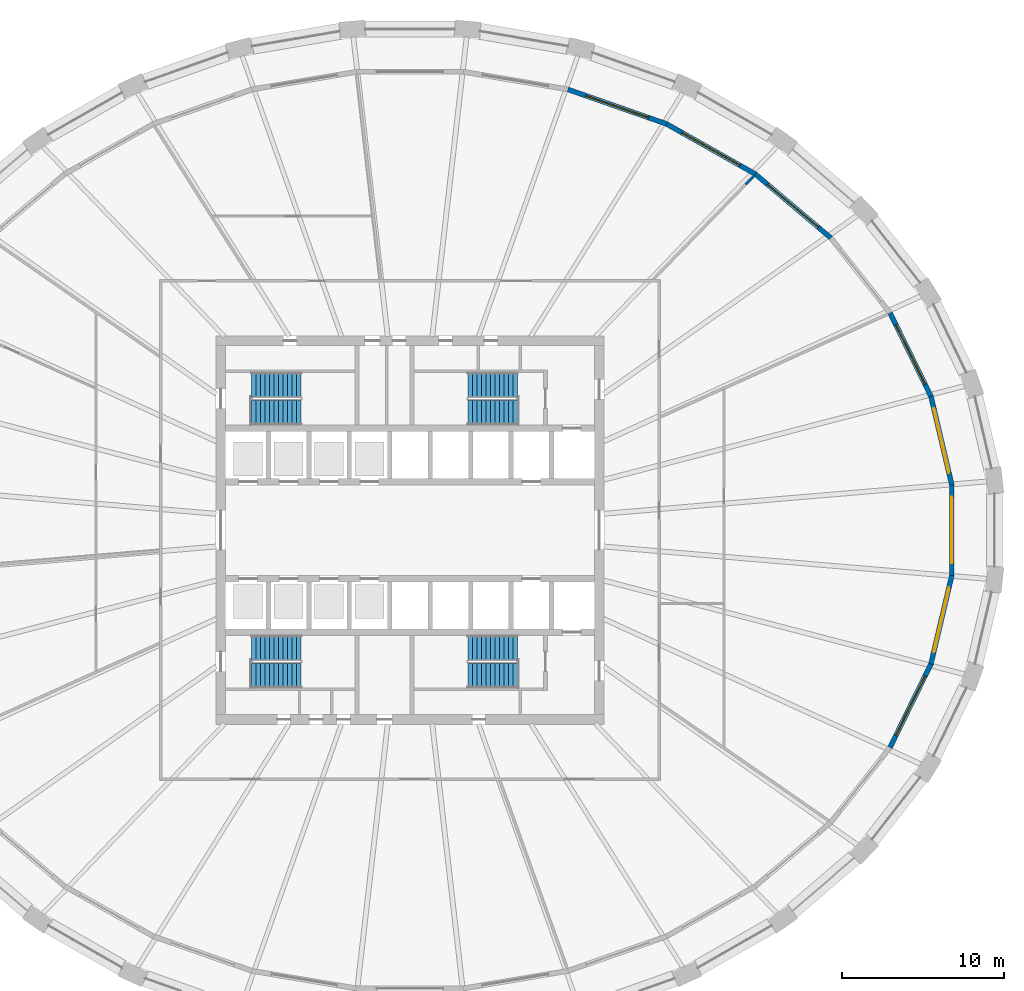
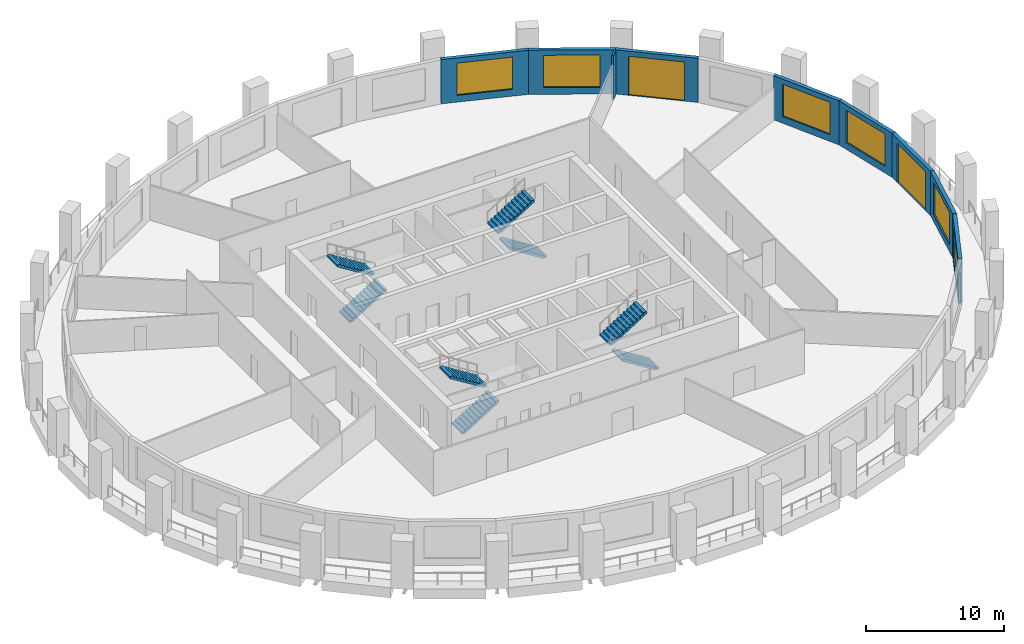
# One storey, part 7 of 10: 9 walls, 8 stair flights, 6 windows, 2 doors, 8 openings, 4 elements without a shape of their own.
"""IFC4 building model written with IfcOpenShell, lengths in metres."""

from ifc_helpers import new_model, si_unit, direction, frame, frame_2d, origin, place, context, subcontext, project, spatial, polyline, rectangle, outline, extrude, material, layer, layer_set, type_object, element, fill, aggregate, save


model = new_model("IFC4")

# Units and contexts
model_context = context("Model", 3, precision=1e-05, world=origin(), true_north=direction((0.0, 1.0)))
body_context = subcontext(model_context, "Body", "Model", "MODEL_VIEW")
ifc_project = project(units=[si_unit("LENGTHUNIT", "METRE"), si_unit("AREAUNIT", "SQUARE_METRE"), si_unit("VOLUMEUNIT", "CUBIC_METRE"), si_unit("PLANEANGLEUNIT", "RADIAN"), si_unit("MASSUNIT", "GRAM", prefix="KILO")], contexts=[model_context])

# Site, building, storey
site_placement = place(None, origin())
site = spatial("IfcSite", under=ifc_project, at=site_placement, CompositionType="ELEMENT")
building_placement = place(site_placement, origin())
building = spatial("IfcBuilding", under=site, at=building_placement, Name="Halqa Exchange Tower", CompositionType="ELEMENT")
storey_placement = place(building_placement, frame((0.0, 0.0, 86.5)))
storey = spatial("IfcBuildingStorey", under=building, at=storey_placement, Name="L19", CompositionType="ELEMENT", Elevation=86.5)

# Wall
ifc_material_1 = material(Name="Fire-rated gypsum board")
ifc_layer_1 = layer(ifc_material_1, 0.14990234375)
ifc_layer_set_1 = layer_set([ifc_layer_1], Name="Fire-rated gypsum board")
wall_type_1 = type_object("IfcWallType", Name="Fire partition EI 60 150", PredefinedType="PARTITIONING", material=ifc_layer_set_1)
wall_1_placement = place(storey_placement, frame((20.738525390625, 21.357666015625, 0.0), z_axis=(0.0, 0.0, 1.0), x_axis=(0.697039010439, 0.717033205595, 0.0)))
element("IfcWall", 1, at=wall_1_placement, inside=storey, type_object=wall_type_1, Name="L19-PWL-024", PredefinedType="PARTITIONING", context=body_context, shape_type="SweptSolid", body=[
    extrude(outline(polyline([(0.0, 0.074951171875), (0.0, -0.074951171875), (0.708251953125, -0.074951171875), (0.708251953125, 0.074951171875), (0.0, 0.074951171875)])), origin(), (0.0, 0.0, 1.0), 3.89990234375),
])

# Wall, opening, window
ifc_material_2 = material(Name="Limestone cladding", Category="masonry")
ifc_layer_2 = layer(ifc_material_2, 0.0400390625)
ifc_material_3 = material(Name="Ventilated cavity")
ifc_layer_3 = layer(ifc_material_3, 0.030029296875, ventilated=True)
ifc_material_4 = material(Name="Mineral wool insulation")
ifc_layer_4 = layer(ifc_material_4, 0.10009765625)
ifc_material_5 = material(Name="Concrete C30/37", Category="concrete")
ifc_layer_5 = layer(ifc_material_5, 0.10009765625)
ifc_material_6 = material(Name="Internal plaster")
ifc_layer_6 = layer(ifc_material_6, 0.030029296875)
ifc_layer_set_2 = layer_set([ifc_layer_2, ifc_layer_3, ifc_layer_4, ifc_layer_5, ifc_layer_6], Name="Stone-faced insulated wall 300")
wall_type_2 = type_object("IfcWallType", Name="Stone-faced insulated wall 300", PredefinedType="STANDARD", material=ifc_layer_set_2)
wall_2_placement = place(storey_placement, frame((33.478271484375, 2.791748046875, 0.0), z_axis=(0.0, 0.0, 1.0), x_axis=(-0.229073200999, 0.973409198941, 0.0)))
wall_2 = element("IfcWall", 2, at=wall_2_placement, inside=storey, type_object=wall_type_2, Name="Glass-line wall 1", PredefinedType="STANDARD", context=body_context, shape_type="SweptSolid", body=[
    extrude(outline(polyline([(-0.017333984375, -0.14990234375), (5.64208984375, -0.14990234375), (5.6083984375, 0.14990234375), (0.017333984375, 0.14990234375), (-0.017333984375, -0.14990234375)])), origin(), (0.0, 0.0, 1.0), 3.89990234375),
])
opening_1_placement = place(wall_2_placement, frame((0.7626953125, 0.0, 0.60009765625)))
opening_1 = element("IfcOpeningElement", 3, at=opening_1_placement, cuts=wall_2, Name="Opening W-F1-01", PredefinedType="OPENING", context=body_context, shape_type="SweptSolid", body=[
    extrude(rectangle(XDim=4.10009765625, YDim=2.85009765625, at=frame_2d((2.050048828125, 1.425048828125))), frame((0.0, 0.162109375, 0.0), z_axis=(0.0, -1.0, 0.0), x_axis=(1.0, 0.0, 0.0)), (0.0, 0.0, 1.0), 0.323974609375),
])
ifc_material_7 = material(Name="Clear low-emissivity glass in aluminium frame", Category="aluminium")
window_type = type_object("IfcWindowType", Name="Fixed clear glazed window 4100 x 2850", PartitioningType="TRIPLE_PANEL_VERTICAL", PredefinedType="WINDOW", material=ifc_material_7)
window_1_placement = place(opening_1_placement, origin())
window_1 = element("IfcWindow", 4, at=window_1_placement, inside=storey, type_object=window_type, Name="Window 1", OverallHeight=2.85009765625, OverallWidth=4.10009765625, PartitioningType="TRIPLE_PANEL_VERTICAL", PredefinedType="WINDOW", context=body_context, shape_type="SweptSolid", body=[
    extrude(rectangle(XDim=4.10009765625, YDim=2.85009765625, at=frame_2d((2.050048828125, 1.425048828125))), frame((0.0, 0.030029296875, 0.0), z_axis=(0.0, -1.0, 0.0), x_axis=(1.0, 0.0, 0.0)), (0.0, 0.0, 1.0), 0.06005859375),
])
fill(opening_1, window_1)

wall_3_placement = place(storey_placement, frame((32.189697265625, 8.267333984375, 0.0), z_axis=(0.0, 0.0, 1.0), x_axis=(-0.44010747541, 0.897945104162, 0.0)))
wall_3 = element("IfcWall", 5, at=wall_3_placement, inside=storey, type_object=wall_type_2, Name="Glass-line wall 2", PredefinedType="STANDARD", context=body_context, shape_type="SweptSolid", body=[
    extrude(outline(polyline([(-0.016845703125, -0.14990234375), (5.758056640625, -0.14990234375), (5.725830078125, 0.14990234375), (0.016845703125, 0.14990234375), (-0.016845703125, -0.14990234375)])), origin(), (0.0, 0.0, 1.0), 3.89990234375),
])
opening_2_placement = place(wall_3_placement, frame((0.821044921875, 0.0, 0.60009765625)))
opening_2 = element("IfcOpeningElement", 6, at=opening_2_placement, cuts=wall_3, Name="Opening W-F1-02", PredefinedType="OPENING", context=body_context, shape_type="SweptSolid", body=[
    extrude(rectangle(XDim=4.10009765625, YDim=2.85009765625, at=frame_2d((2.050048828125, 1.425048828125))), frame((0.0, 0.162109375, 0.0), z_axis=(0.0, -1.0, 0.0), x_axis=(1.0, 0.0, 0.0)), (0.0, 0.0, 1.0), 0.323974609375),
])
window_2_placement = place(opening_2_placement, origin())
window_2 = element("IfcWindow", 7, at=window_2_placement, inside=storey, type_object=window_type, Name="Window 1", OverallHeight=2.85009765625, OverallWidth=4.10009765625, PartitioningType="TRIPLE_PANEL_VERTICAL", PredefinedType="WINDOW", context=body_context, shape_type="SweptSolid", body=[
    extrude(rectangle(XDim=4.10009765625, YDim=2.85009765625, at=frame_2d((2.050048828125, 1.425048828125))), frame((0.0, 0.030029296875, 0.0), z_axis=(0.0, -1.0, 0.0), x_axis=(1.0, 0.0, 0.0)), (0.0, 0.0, 1.0), 0.06005859375),
])
fill(opening_2, window_2)

# Wall, opening, door
wall_4_placement = place(storey_placement, frame((25.99609375, 18.0615234375, 0.0), z_axis=(0.0, 0.0, 1.0), x_axis=(-0.763753100684, 0.645508482667, 0.0)))
wall_4 = element("IfcWall", 8, at=wall_4_placement, inside=storey, type_object=wall_type_2, Name="Glass-line wall 4", PredefinedType="STANDARD", context=body_context, shape_type="SweptSolid", body=[
    extrude(outline(polyline([(-0.01513671875, -0.14990234375), (6.12158203125, -0.14990234375), (6.09326171875, 0.14990234375), (0.01513671875, 0.14990234375), (-0.01513671875, -0.14990234375)])), origin(), (0.0, 0.0, 1.0), 3.89990234375),
])
opening_3_placement = place(wall_4_placement, frame((1.003662109375, 0.0, 0.0)))
opening_3 = element("IfcOpeningElement", 9, at=opening_3_placement, cuts=wall_4, Name="Opening LG-F1-01", PredefinedType="OPENING", context=body_context, shape_type="SweptSolid", body=[
    extrude(rectangle(XDim=4.10009765625, YDim=3.449951171875, at=frame_2d((2.050048828125, 1.72509765625))), frame((0.0, 0.162109375, 0.0), z_axis=(0.0, -1.0, 0.0), x_axis=(1.0, 0.0, 0.0)), (0.0, 0.0, 1.0), 0.323974609375),
])
door_type = type_object("IfcDoorType", Name="Glazed sliding loggia door 4100 x 3450", OperationType="DOUBLE_DOOR_SLIDING", PredefinedType="DOOR", material=ifc_material_7)
door_1_placement = place(opening_3_placement, origin())
door_1 = element("IfcDoor", 10, at=door_1_placement, inside=storey, type_object=door_type, Name="Loggia door 1", OperationType="DOUBLE_DOOR_SLIDING", OverallHeight=3.449951171875, OverallWidth=4.10009765625, PredefinedType="DOOR", context=body_context, shape_type="SweptSolid", body=[
    extrude(rectangle(XDim=4.10009765625, YDim=3.449951171875, at=frame_2d((2.050048828125, 1.72509765625))), frame((0.0, 0.02490234375, 0.0), z_axis=(0.0, -1.0, 0.0), x_axis=(1.0, 0.0, 0.0)), (0.0, 0.0, 1.0), 0.050048828125),
])
fill(opening_3, door_1)

# Wall, opening, window
wall_5_placement = place(storey_placement, frame((21.33154296875, 22.00390625, 0.0), z_axis=(0.0, 0.0, 1.0), x_axis=(-0.870737550302, 0.491748023376, 0.0)))
wall_5 = element("IfcWall", 11, at=wall_5_placement, inside=storey, type_object=wall_type_2, Name="Glass-line wall 5", PredefinedType="STANDARD", context=body_context, shape_type="SweptSolid", body=[
    extrude(outline(polyline([(-0.01416015625, -0.14990234375), (6.309814453125, -0.14990234375), (6.282958984375, 0.14990234375), (0.01416015625, 0.14990234375), (-0.01416015625, -0.14990234375)])), origin(), (0.0, 0.0, 1.0), 3.89990234375),
])
opening_4_placement = place(wall_5_placement, frame((1.09814453125, 0.0, 0.60009765625)))
opening_4 = element("IfcOpeningElement", 12, at=opening_4_placement, cuts=wall_5, Name="Opening W-F1-05", PredefinedType="OPENING", context=body_context, shape_type="SweptSolid", body=[
    extrude(rectangle(XDim=4.10009765625, YDim=2.85009765625, at=frame_2d((2.050048828125, 1.425048828125))), frame((0.0, 0.162109375, 0.0), z_axis=(0.0, -1.0, 0.0), x_axis=(1.0, 0.0, 0.0)), (0.0, 0.0, 1.0), 0.323974609375),
])
window_3_placement = place(opening_4_placement, origin())
window_3 = element("IfcWindow", 13, at=window_3_placement, inside=storey, type_object=window_type, Name="Window 1", OverallHeight=2.85009765625, OverallWidth=4.10009765625, PartitioningType="TRIPLE_PANEL_VERTICAL", PredefinedType="WINDOW", context=body_context, shape_type="SweptSolid", body=[
    extrude(rectangle(XDim=4.10009765625, YDim=2.85009765625, at=frame_2d((2.050048828125, 1.425048828125))), frame((0.0, 0.030029296875, 0.0), z_axis=(0.0, -1.0, 0.0), x_axis=(1.0, 0.0, 0.0)), (0.0, 0.0, 1.0), 0.06005859375),
])
fill(opening_4, window_3)

wall_6_placement = place(storey_placement, frame((15.84912109375, 25.10009765625, 0.0), z_axis=(0.0, 0.0, 1.0), x_axis=(-0.943820008365, 0.330459970057, 0.0)))
wall_6 = element("IfcWall", 14, at=wall_6_placement, inside=storey, type_object=wall_type_2, Name="Glass-line wall 6", PredefinedType="STANDARD", context=body_context, shape_type="SweptSolid", body=[
    extrude(outline(polyline([(-0.013427734375, -0.14990234375), (6.46533203125, -0.14990234375), (6.43994140625, 0.14990234375), (0.013427734375, 0.14990234375), (-0.013427734375, -0.14990234375)])), origin(), (0.0, 0.0, 1.0), 3.89990234375),
])
opening_5_placement = place(wall_6_placement, frame((1.17626953125, 0.0, 0.60009765625)))
opening_5 = element("IfcOpeningElement", 15, at=opening_5_placement, cuts=wall_6, Name="Opening W-F1-06", PredefinedType="OPENING", context=body_context, shape_type="SweptSolid", body=[
    extrude(rectangle(XDim=4.10009765625, YDim=2.85009765625, at=frame_2d((2.050048828125, 1.425048828125))), frame((0.0, 0.162109375, 0.0), z_axis=(0.0, -1.0, 0.0), x_axis=(1.0, 0.0, 0.0)), (0.0, 0.0, 1.0), 0.323974609375),
])
window_4_placement = place(opening_5_placement, origin())
window_4 = element("IfcWindow", 16, at=window_4_placement, inside=storey, type_object=window_type, Name="Window 1", OverallHeight=2.85009765625, OverallWidth=4.10009765625, PartitioningType="TRIPLE_PANEL_VERTICAL", PredefinedType="WINDOW", context=body_context, shape_type="SweptSolid", body=[
    extrude(rectangle(XDim=4.10009765625, YDim=2.85009765625, at=frame_2d((2.050048828125, 1.425048828125))), frame((0.0, 0.030029296875, 0.0), z_axis=(0.0, -1.0, 0.0), x_axis=(1.0, 0.0, 0.0)), (0.0, 0.0, 1.0), 0.06005859375),
])
fill(opening_5, window_4)

wall_7_placement = place(storey_placement, frame((29.66259765625, -13.42333984375, 0.0), z_axis=(0.0, 0.0, 1.0), x_axis=(0.44010747541, 0.897945104162, 0.0)))
wall_7 = element("IfcWall", 17, at=wall_7_placement, inside=storey, type_object=wall_type_2, Name="Glass-line wall 30", PredefinedType="STANDARD", context=body_context, shape_type="SweptSolid", body=[
    extrude(outline(polyline([(-0.01611328125, -0.14990234375), (5.7587890625, -0.14990234375), (5.72509765625, 0.14990234375), (0.01611328125, 0.14990234375), (-0.01611328125, -0.14990234375)])), origin(), (0.0, 0.0, 1.0), 3.89990234375),
])
opening_6_placement = place(wall_7_placement, frame((0.821044921875, 0.0, 0.60009765625)))
opening_6 = element("IfcOpeningElement", 18, at=opening_6_placement, cuts=wall_7, Name="Opening W-F1-30", PredefinedType="OPENING", context=body_context, shape_type="SweptSolid", body=[
    extrude(rectangle(XDim=4.10009765625, YDim=2.85009765625, at=frame_2d((2.050048828125, 1.425048828125))), frame((0.0, 0.162109375, 0.0), z_axis=(0.0, -1.0, 0.0), x_axis=(1.0, 0.0, 0.0)), (0.0, 0.0, 1.0), 0.323974609375),
])
window_5_placement = place(opening_6_placement, origin())
window_5 = element("IfcWindow", 19, at=window_5_placement, inside=storey, type_object=window_type, Name="Window 1", OverallHeight=2.85009765625, OverallWidth=4.10009765625, PartitioningType="TRIPLE_PANEL_VERTICAL", PredefinedType="WINDOW", context=body_context, shape_type="SweptSolid", body=[
    extrude(rectangle(XDim=4.10009765625, YDim=2.85009765625, at=frame_2d((2.050048828125, 1.425048828125))), frame((0.0, 0.030029296875, 0.0), z_axis=(0.0, -1.0, 0.0), x_axis=(1.0, 0.0, 0.0)), (0.0, 0.0, 1.0), 0.06005859375),
])
fill(opening_6, window_5)

wall_8_placement = place(storey_placement, frame((32.189697265625, -8.267333984375, 0.0), z_axis=(0.0, 0.0, 1.0), x_axis=(0.229073200999, 0.973409198941, 0.0)))
wall_8 = element("IfcWall", 20, at=wall_8_placement, inside=storey, type_object=wall_type_2, Name="Glass-line wall 31", PredefinedType="STANDARD", context=body_context, shape_type="SweptSolid", body=[
    extrude(outline(polyline([(-0.016845703125, -0.14990234375), (5.642578125, -0.14990234375), (5.60791015625, 0.14990234375), (0.016845703125, 0.14990234375), (-0.016845703125, -0.14990234375)])), origin(), (0.0, 0.0, 1.0), 3.89990234375),
])
opening_7_placement = place(wall_8_placement, frame((0.7626953125, 0.0, 0.60009765625)))
opening_7 = element("IfcOpeningElement", 21, at=opening_7_placement, cuts=wall_8, Name="Opening W-F1-31", PredefinedType="OPENING", context=body_context, shape_type="SweptSolid", body=[
    extrude(rectangle(XDim=4.10009765625, YDim=2.85009765625, at=frame_2d((2.050048828125, 1.425048828125))), frame((0.0, 0.162109375, 0.0), z_axis=(0.0, -1.0, 0.0), x_axis=(1.0, 0.0, 0.0)), (0.0, 0.0, 1.0), 0.323974609375),
])
window_6_placement = place(opening_7_placement, origin())
window_6 = element("IfcWindow", 22, at=window_6_placement, inside=storey, type_object=window_type, Name="Window 1", OverallHeight=2.85009765625, OverallWidth=4.10009765625, PartitioningType="TRIPLE_PANEL_VERTICAL", PredefinedType="WINDOW", context=body_context, shape_type="SweptSolid", body=[
    extrude(rectangle(XDim=4.10009765625, YDim=2.85009765625, at=frame_2d((2.050048828125, 1.425048828125))), frame((0.0, 0.030029296875, 0.0), z_axis=(0.0, -1.0, 0.0), x_axis=(1.0, 0.0, 0.0)), (0.0, 0.0, 1.0), 0.06005859375),
])
fill(opening_7, window_6)

# Wall, opening, door
wall_9_placement = place(storey_placement, frame((33.478271484375, -2.791748046875, 0.0), z_axis=(0.0, 0.0, 1.0), x_axis=(0.0, 1.0, 0.0)))
wall_9 = element("IfcWall", 23, at=wall_9_placement, inside=storey, type_object=wall_type_2, Name="Glass-line wall 32", PredefinedType="STANDARD", context=body_context, shape_type="SweptSolid", body=[
    extrude(outline(polyline([(-0.017333984375, -0.14990234375), (5.600830078125, -0.14990234375), (5.566162109375, 0.14990234375), (0.017333984375, 0.14990234375), (-0.017333984375, -0.14990234375)])), origin(), (0.0, 0.0, 1.0), 3.89990234375),
])
opening_8_placement = place(wall_9_placement, frame((0.74169921875, 0.0, 0.0)))
opening_8 = element("IfcOpeningElement", 24, at=opening_8_placement, cuts=wall_9, Name="Opening LG-F1-08", PredefinedType="OPENING", context=body_context, shape_type="SweptSolid", body=[
    extrude(rectangle(XDim=4.10009765625, YDim=3.449951171875, at=frame_2d((2.050048828125, 1.72509765625))), frame((0.0, 0.162109375, 0.0), z_axis=(0.0, -1.0, 0.0), x_axis=(1.0, 0.0, 0.0)), (0.0, 0.0, 1.0), 0.323974609375),
])
door_2_placement = place(opening_8_placement, origin())
door_2 = element("IfcDoor", 25, at=door_2_placement, inside=storey, type_object=door_type, Name="Loggia door 8", OperationType="DOUBLE_DOOR_SLIDING", OverallHeight=3.449951171875, OverallWidth=4.10009765625, PredefinedType="DOOR", context=body_context, shape_type="SweptSolid", body=[
    extrude(rectangle(XDim=4.10009765625, YDim=3.449951171875, at=frame_2d((2.050048828125, 1.72509765625))), frame((0.0, 0.02490234375, 0.0), z_axis=(0.0, -1.0, 0.0), x_axis=(1.0, 0.0, 0.0)), (0.0, 0.0, 1.0), 0.050048828125),
])
fill(opening_8, door_2)

# Stair, stair flights
stair_type = type_object("IfcStairType", Name="Exit stair 1500 wide", PredefinedType="HALF_TURN_STAIR", material=ifc_material_5)
stair_1_placement = place(storey_placement, origin())
stair_1 = element("IfcStair", 26, at=stair_1_placement, inside=storey, type_object=stair_type, Name="Exit stair ST1", PredefinedType="HALF_TURN_STAIR")
stair_flight_type = type_object("IfcStairFlightType", Name="Stair flight 1500 wide", PredefinedType="STRAIGHT", material=ifc_material_5)
stair_flight_1_placement = place(storey_placement, frame((-9.800048828125, 7.25, 0.0), z_axis=(0.0, 0.0, 1.0), x_axis=(1.0, 0.0, 0.0)))
stair_flight_1 = element("IfcStairFlight", 27, at=stair_flight_1_placement, type_object=stair_flight_type, Name="ST1 flight 1", NumberOfRisers=12, NumberOfTreads=11, PredefinedType="STRAIGHT", RiserHeight=0.175, TreadLength=0.28, context=body_context, shape_type="SweptSolid", body=[
    extrude(outline(polyline([(0.0, 0.0), (0.0, 0.175048828125), (0.280029296875, 0.175048828125), (0.280029296875, 0.35009765625), (0.56005859375, 0.35009765625), (0.56005859375, 0.52490234375), (0.840087890625, 0.52490234375), (0.840087890625, 0.699951171875), (1.1201171875, 0.699951171875), (1.1201171875, 0.875), (1.39990234375, 0.875), (1.39990234375, 1.050048828125), (1.679931640625, 1.050048828125), (1.679931640625, 1.22509765625), (1.9599609375, 1.22509765625), (1.9599609375, 1.39990234375), (2.239990234375, 1.39990234375), (2.239990234375, 1.574951171875), (2.52001953125, 1.574951171875), (2.52001953125, 1.75), (2.800048828125, 1.75), (2.800048828125, 1.925048828125), (3.080078125, 1.925048828125), (3.080078125, 2.10009765625), (3.080078125, 1.748291015625), (0.28271484375, 0.0), (0.0, 0.0)])), frame((0.0, 0.75, 0.0), z_axis=(0.0, -1.0, 0.0), x_axis=(1.0, 0.0, 0.0)), (0.0, 0.0, 1.0), 1.5),
])
stair_flight_2_placement = place(storey_placement, frame((-6.719970703125, 9.0, 2.10009765625), z_axis=(0.0, 0.0, 1.0), x_axis=(-1.0, 0.0, 0.0)))
stair_flight_2 = element("IfcStairFlight", 28, at=stair_flight_2_placement, type_object=stair_flight_type, Name="ST1 flight 2", NumberOfRisers=12, NumberOfTreads=11, PredefinedType="STRAIGHT", RiserHeight=0.175, TreadLength=0.28, context=body_context, shape_type="SweptSolid", body=[
    extrude(outline(polyline([(0.0, 0.0), (0.0, 0.175048828125), (0.280029296875, 0.175048828125), (0.280029296875, 0.35009765625), (0.56005859375, 0.35009765625), (0.56005859375, 0.52490234375), (0.840087890625, 0.52490234375), (0.840087890625, 0.699951171875), (1.1201171875, 0.699951171875), (1.1201171875, 0.875), (1.39990234375, 0.875), (1.39990234375, 1.050048828125), (1.679931640625, 1.050048828125), (1.679931640625, 1.22509765625), (1.9599609375, 1.22509765625), (1.9599609375, 1.39990234375), (2.239990234375, 1.39990234375), (2.239990234375, 1.574951171875), (2.52001953125, 1.574951171875), (2.52001953125, 1.75), (2.800048828125, 1.75), (2.800048828125, 1.925048828125), (3.080078125, 1.925048828125), (3.080078125, 2.10009765625), (3.080078125, 1.748291015625), (0.28271484375, 0.0), (0.0, 0.0)])), frame((0.0, 0.75, 0.0), z_axis=(0.0, -1.0, 0.0), x_axis=(1.0, 0.0, 0.0)), (0.0, 0.0, 1.0), 1.5),
])
aggregate(stair_1, [stair_flight_1, stair_flight_2])

stair_2_placement = place(storey_placement, origin())
stair_2 = element("IfcStair", 29, at=stair_2_placement, inside=storey, type_object=stair_type, Name="Exit stair ST2", PredefinedType="HALF_TURN_STAIR")
stair_flight_3_placement = place(storey_placement, frame((6.64990234375, 7.25, 0.0), z_axis=(0.0, 0.0, 1.0), x_axis=(-1.0, 0.0, 0.0)))
stair_flight_3 = element("IfcStairFlight", 30, at=stair_flight_3_placement, type_object=stair_flight_type, Name="ST2 flight 1", NumberOfRisers=12, NumberOfTreads=11, PredefinedType="STRAIGHT", RiserHeight=0.175, TreadLength=0.28, context=body_context, shape_type="SweptSolid", body=[
    extrude(outline(polyline([(0.0, 0.0), (0.0, 0.175048828125), (0.280029296875, 0.175048828125), (0.280029296875, 0.35009765625), (0.56005859375, 0.35009765625), (0.56005859375, 0.52490234375), (0.840087890625, 0.52490234375), (0.840087890625, 0.699951171875), (1.1201171875, 0.699951171875), (1.1201171875, 0.875), (1.39990234375, 0.875), (1.39990234375, 1.050048828125), (1.679931640625, 1.050048828125), (1.679931640625, 1.22509765625), (1.9599609375, 1.22509765625), (1.9599609375, 1.39990234375), (2.239990234375, 1.39990234375), (2.239990234375, 1.574951171875), (2.52001953125, 1.574951171875), (2.52001953125, 1.75), (2.800048828125, 1.75), (2.800048828125, 1.925048828125), (3.080078125, 1.925048828125), (3.080078125, 2.10009765625), (3.080078125, 1.748291015625), (0.28271484375, 0.0), (0.0, 0.0)])), frame((0.0, 0.75, 0.0), z_axis=(0.0, -1.0, 0.0), x_axis=(1.0, 0.0, 0.0)), (0.0, 0.0, 1.0), 1.5),
])
stair_flight_4_placement = place(storey_placement, frame((3.570068359375, 9.0, 2.10009765625), z_axis=(0.0, 0.0, 1.0), x_axis=(1.0, 0.0, 0.0)))
stair_flight_4 = element("IfcStairFlight", 31, at=stair_flight_4_placement, type_object=stair_flight_type, Name="ST2 flight 2", NumberOfRisers=12, NumberOfTreads=11, PredefinedType="STRAIGHT", RiserHeight=0.175, TreadLength=0.28, context=body_context, shape_type="SweptSolid", body=[
    extrude(outline(polyline([(0.0, 0.0), (0.0, 0.175048828125), (0.280029296875, 0.175048828125), (0.280029296875, 0.35009765625), (0.56005859375, 0.35009765625), (0.56005859375, 0.52490234375), (0.840087890625, 0.52490234375), (0.840087890625, 0.699951171875), (1.1201171875, 0.699951171875), (1.1201171875, 0.875), (1.39990234375, 0.875), (1.39990234375, 1.050048828125), (1.679931640625, 1.050048828125), (1.679931640625, 1.22509765625), (1.9599609375, 1.22509765625), (1.9599609375, 1.39990234375), (2.239990234375, 1.39990234375), (2.239990234375, 1.574951171875), (2.52001953125, 1.574951171875), (2.52001953125, 1.75), (2.800048828125, 1.75), (2.800048828125, 1.925048828125), (3.080078125, 1.925048828125), (3.080078125, 2.10009765625), (3.080078125, 1.748291015625), (0.28271484375, 0.0), (0.0, 0.0)])), frame((0.0, 0.75, 0.0), z_axis=(0.0, -1.0, 0.0), x_axis=(1.0, 0.0, 0.0)), (0.0, 0.0, 1.0), 1.5),
])
aggregate(stair_2, [stair_flight_3, stair_flight_4])

stair_3_placement = place(storey_placement, origin())
stair_3 = element("IfcStair", 32, at=stair_3_placement, inside=storey, type_object=stair_type, Name="Exit stair ST3", PredefinedType="HALF_TURN_STAIR")
stair_flight_5_placement = place(storey_placement, frame((-9.800048828125, -9.0, 0.0), z_axis=(0.0, 0.0, 1.0), x_axis=(1.0, 0.0, 0.0)))
stair_flight_5 = element("IfcStairFlight", 33, at=stair_flight_5_placement, type_object=stair_flight_type, Name="ST3 flight 1", NumberOfRisers=12, NumberOfTreads=11, PredefinedType="STRAIGHT", RiserHeight=0.175, TreadLength=0.28, context=body_context, shape_type="SweptSolid", body=[
    extrude(outline(polyline([(0.0, 0.0), (0.0, 0.175048828125), (0.280029296875, 0.175048828125), (0.280029296875, 0.35009765625), (0.56005859375, 0.35009765625), (0.56005859375, 0.52490234375), (0.840087890625, 0.52490234375), (0.840087890625, 0.699951171875), (1.1201171875, 0.699951171875), (1.1201171875, 0.875), (1.39990234375, 0.875), (1.39990234375, 1.050048828125), (1.679931640625, 1.050048828125), (1.679931640625, 1.22509765625), (1.9599609375, 1.22509765625), (1.9599609375, 1.39990234375), (2.239990234375, 1.39990234375), (2.239990234375, 1.574951171875), (2.52001953125, 1.574951171875), (2.52001953125, 1.75), (2.800048828125, 1.75), (2.800048828125, 1.925048828125), (3.080078125, 1.925048828125), (3.080078125, 2.10009765625), (3.080078125, 1.748291015625), (0.28271484375, 0.0), (0.0, 0.0)])), frame((0.0, 0.75, 0.0), z_axis=(0.0, -1.0, 0.0), x_axis=(1.0, 0.0, 0.0)), (0.0, 0.0, 1.0), 1.5),
])
stair_flight_6_placement = place(storey_placement, frame((-6.719970703125, -7.25, 2.10009765625), z_axis=(0.0, 0.0, 1.0), x_axis=(-1.0, 0.0, 0.0)))
stair_flight_6 = element("IfcStairFlight", 34, at=stair_flight_6_placement, type_object=stair_flight_type, Name="ST3 flight 2", NumberOfRisers=12, NumberOfTreads=11, PredefinedType="STRAIGHT", RiserHeight=0.175, TreadLength=0.28, context=body_context, shape_type="SweptSolid", body=[
    extrude(outline(polyline([(0.0, 0.0), (0.0, 0.175048828125), (0.280029296875, 0.175048828125), (0.280029296875, 0.35009765625), (0.56005859375, 0.35009765625), (0.56005859375, 0.52490234375), (0.840087890625, 0.52490234375), (0.840087890625, 0.699951171875), (1.1201171875, 0.699951171875), (1.1201171875, 0.875), (1.39990234375, 0.875), (1.39990234375, 1.050048828125), (1.679931640625, 1.050048828125), (1.679931640625, 1.22509765625), (1.9599609375, 1.22509765625), (1.9599609375, 1.39990234375), (2.239990234375, 1.39990234375), (2.239990234375, 1.574951171875), (2.52001953125, 1.574951171875), (2.52001953125, 1.75), (2.800048828125, 1.75), (2.800048828125, 1.925048828125), (3.080078125, 1.925048828125), (3.080078125, 2.10009765625), (3.080078125, 1.748291015625), (0.28271484375, 0.0), (0.0, 0.0)])), frame((0.0, 0.75, 0.0), z_axis=(0.0, -1.0, 0.0), x_axis=(1.0, 0.0, 0.0)), (0.0, 0.0, 1.0), 1.5),
])
aggregate(stair_3, [stair_flight_5, stair_flight_6])

stair_4_placement = place(storey_placement, origin())
stair_4 = element("IfcStair", 35, at=stair_4_placement, inside=storey, type_object=stair_type, Name="Exit stair ST4", PredefinedType="HALF_TURN_STAIR")
stair_flight_7_placement = place(storey_placement, frame((6.64990234375, -9.0, 0.0), z_axis=(0.0, 0.0, 1.0), x_axis=(-1.0, 0.0, 0.0)))
stair_flight_7 = element("IfcStairFlight", 36, at=stair_flight_7_placement, type_object=stair_flight_type, Name="ST4 flight 1", NumberOfRisers=12, NumberOfTreads=11, PredefinedType="STRAIGHT", RiserHeight=0.175, TreadLength=0.28, context=body_context, shape_type="SweptSolid", body=[
    extrude(outline(polyline([(0.0, 0.0), (0.0, 0.175048828125), (0.280029296875, 0.175048828125), (0.280029296875, 0.35009765625), (0.56005859375, 0.35009765625), (0.56005859375, 0.52490234375), (0.840087890625, 0.52490234375), (0.840087890625, 0.699951171875), (1.1201171875, 0.699951171875), (1.1201171875, 0.875), (1.39990234375, 0.875), (1.39990234375, 1.050048828125), (1.679931640625, 1.050048828125), (1.679931640625, 1.22509765625), (1.9599609375, 1.22509765625), (1.9599609375, 1.39990234375), (2.239990234375, 1.39990234375), (2.239990234375, 1.574951171875), (2.52001953125, 1.574951171875), (2.52001953125, 1.75), (2.800048828125, 1.75), (2.800048828125, 1.925048828125), (3.080078125, 1.925048828125), (3.080078125, 2.10009765625), (3.080078125, 1.748291015625), (0.28271484375, 0.0), (0.0, 0.0)])), frame((0.0, 0.75, 0.0), z_axis=(0.0, -1.0, 0.0), x_axis=(1.0, 0.0, 0.0)), (0.0, 0.0, 1.0), 1.5),
])
stair_flight_8_placement = place(storey_placement, frame((3.570068359375, -7.25, 2.10009765625), z_axis=(0.0, 0.0, 1.0), x_axis=(1.0, 0.0, 0.0)))
stair_flight_8 = element("IfcStairFlight", 37, at=stair_flight_8_placement, type_object=stair_flight_type, Name="ST4 flight 2", NumberOfRisers=12, NumberOfTreads=11, PredefinedType="STRAIGHT", RiserHeight=0.175, TreadLength=0.28, context=body_context, shape_type="SweptSolid", body=[
    extrude(outline(polyline([(0.0, 0.0), (0.0, 0.175048828125), (0.280029296875, 0.175048828125), (0.280029296875, 0.35009765625), (0.56005859375, 0.35009765625), (0.56005859375, 0.52490234375), (0.840087890625, 0.52490234375), (0.840087890625, 0.699951171875), (1.1201171875, 0.699951171875), (1.1201171875, 0.875), (1.39990234375, 0.875), (1.39990234375, 1.050048828125), (1.679931640625, 1.050048828125), (1.679931640625, 1.22509765625), (1.9599609375, 1.22509765625), (1.9599609375, 1.39990234375), (2.239990234375, 1.39990234375), (2.239990234375, 1.574951171875), (2.52001953125, 1.574951171875), (2.52001953125, 1.75), (2.800048828125, 1.75), (2.800048828125, 1.925048828125), (3.080078125, 1.925048828125), (3.080078125, 2.10009765625), (3.080078125, 1.748291015625), (0.28271484375, 0.0), (0.0, 0.0)])), frame((0.0, 0.75, 0.0), z_axis=(0.0, -1.0, 0.0), x_axis=(1.0, 0.0, 0.0)), (0.0, 0.0, 1.0), 1.5),
])
aggregate(stair_4, [stair_flight_7, stair_flight_8])

save(model, "model.ifc")
